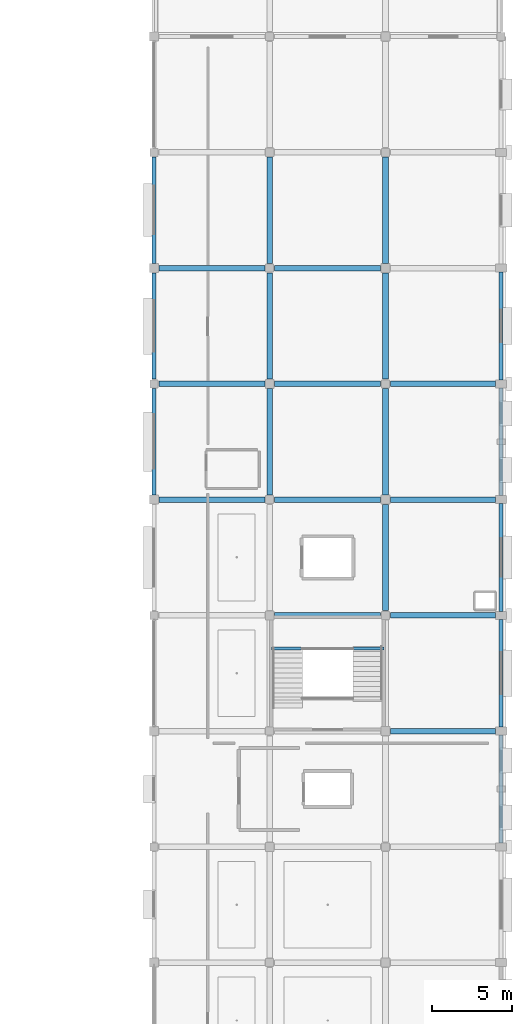
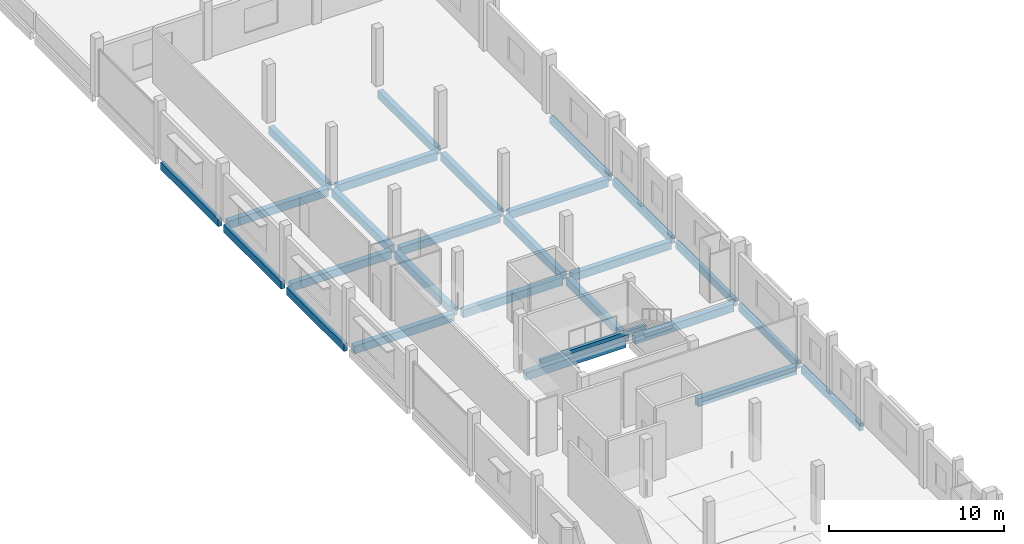
# One storey, part 9 of 26: 27 beams.
"""IFC4 building model written with IfcOpenShell, lengths in metres."""

from ifc_helpers import new_model, si_unit, direction, frame, origin, origin_2d, place, context, subcontext, project, spatial, rectangle, extrude, material, material_profile, profile_set, type_object, element, save


model = new_model("IFC4")

# Units and contexts
model_context = context("Model", 3, precision=1e-05, world=origin(), true_north=direction((0.0, 1.0)))
body_context = subcontext(model_context, "Body", "Model", "MODEL_VIEW")
ifc_project = project(units=[si_unit("LENGTHUNIT", "METRE"), si_unit("AREAUNIT", "SQUARE_METRE"), si_unit("VOLUMEUNIT", "CUBIC_METRE"), si_unit("PLANEANGLEUNIT", "RADIAN"), si_unit("MASSUNIT", "GRAM", prefix="KILO")], contexts=[model_context])

# Site, building, storey
site_placement = place(None, origin())
site = spatial("IfcSite", under=ifc_project, at=site_placement, CompositionType="ELEMENT")
building_placement = place(site_placement, origin())
building = spatial("IfcBuilding", under=site, at=building_placement, Name="Kangsadwip Square Police Headquarters", CompositionType="ELEMENT")
storey_placement = place(building_placement, frame((0.0, 0.0, 25.64990234375)))
storey = spatial("IfcBuildingStorey", under=building, at=storey_placement, Name="L06", CompositionType="ELEMENT", Elevation=25.64990234375)

# Beams
ifc_material_1 = material(Name="Concrete M35 (35 MPa)", Category="concrete")
ifc_material_profile_1 = material_profile(ifc_material_1, rectangle(XDim=0.35009765625, YDim=0.550048828125, at=origin_2d()), Name="RC BM 550X350")
ifc_profile_set_1 = profile_set([ifc_material_profile_1], Name="Concrete M35 (35 MPa)")
beam_type_1 = type_object("IfcBeamType", Name="RcBeam550x350", PredefinedType="BEAM", material=ifc_profile_set_1)
beam_1_placement = place(storey_placement, frame((158.699951171875, 57.60009765625, -0.494873046875), z_axis=(1.0, 0.0, 0.0), x_axis=(0.0, 1.0, 0.0)))
element("IfcBeam", 1, at=beam_1_placement, inside=storey, type_object=beam_type_1, Name="Beam BM-L06-X-22-08", PredefinedType="BEAM", context=body_context, shape_type="SweptSolid", body=[
    extrude(rectangle(XDim=0.35009765625, YDim=0.550048828125, at=origin_2d()), origin(), (0.0, 0.0, 1.0), 6.550048828125),
])
beam_2_placement = place(storey_placement, frame((151.5, 64.800048828125, -0.494873046875), z_axis=(1.0, 0.0, 0.0), x_axis=(0.0, 1.0, 0.0)))
element("IfcBeam", 2, at=beam_2_placement, inside=storey, type_object=beam_type_1, Name="Beam BM-L06-X-21-09", PredefinedType="BEAM", context=body_context, shape_type="SweptSolid", body=[
    extrude(rectangle(XDim=0.35009765625, YDim=0.550048828125, at=origin_2d()), origin(), (0.0, 0.0, 1.0), 6.60009765625),
])
beam_3_placement = place(storey_placement, frame((158.699951171875, 64.800048828125, -0.494873046875), z_axis=(1.0, 0.0, 0.0), x_axis=(0.0, 1.0, 0.0)))
element("IfcBeam", 3, at=beam_3_placement, inside=storey, type_object=beam_type_1, Name="Beam BM-L06-X-22-09", PredefinedType="BEAM", context=body_context, shape_type="SweptSolid", body=[
    extrude(rectangle(XDim=0.35009765625, YDim=0.550048828125, at=origin_2d()), origin(), (0.0, 0.0, 1.0), 6.550048828125),
])
beam_4_placement = place(storey_placement, frame((144.300048828125, 72.0, -0.494873046875), z_axis=(1.0, 0.0, 0.0), x_axis=(0.0, 1.0, 0.0)))
element("IfcBeam", 4, at=beam_4_placement, inside=storey, type_object=beam_type_1, Name="Beam BM-L06-X-20-10", PredefinedType="BEAM", context=body_context, shape_type="SweptSolid", body=[
    extrude(rectangle(XDim=0.35009765625, YDim=0.550048828125, at=origin_2d()), origin(), (0.0, 0.0, 1.0), 6.599853515625),
])
beam_5_placement = place(storey_placement, frame((151.5, 72.0, -0.494873046875), z_axis=(1.0, 0.0, 0.0), x_axis=(0.0, 1.0, 0.0)))
element("IfcBeam", 5, at=beam_5_placement, inside=storey, type_object=beam_type_1, Name="Beam BM-L06-X-21-10", PredefinedType="BEAM", context=body_context, shape_type="SweptSolid", body=[
    extrude(rectangle(XDim=0.35009765625, YDim=0.550048828125, at=origin_2d()), origin(), (0.0, 0.0, 1.0), 6.60009765625),
])
beam_6_placement = place(storey_placement, frame((158.699951171875, 72.0, -0.494873046875), z_axis=(1.0, 0.0, 0.0), x_axis=(0.0, 1.0, 0.0)))
element("IfcBeam", 6, at=beam_6_placement, inside=storey, type_object=beam_type_1, Name="Beam BM-L06-X-22-10", PredefinedType="BEAM", context=body_context, shape_type="SweptSolid", body=[
    extrude(rectangle(XDim=0.35009765625, YDim=0.550048828125, at=origin_2d()), origin(), (0.0, 0.0, 1.0), 6.550048828125),
])
beam_7_placement = place(storey_placement, frame((144.300048828125, 79.199951171875, -0.494873046875), z_axis=(1.0, 0.0, 0.0), x_axis=(0.0, 1.0, 0.0)))
element("IfcBeam", 7, at=beam_7_placement, inside=storey, type_object=beam_type_1, Name="Beam BM-L06-X-20-11", PredefinedType="BEAM", context=body_context, shape_type="SweptSolid", body=[
    extrude(rectangle(XDim=0.35009765625, YDim=0.550048828125, at=origin_2d()), origin(), (0.0, 0.0, 1.0), 6.599853515625),
])
beam_8_placement = place(storey_placement, frame((151.5, 79.199951171875, -0.494873046875), z_axis=(1.0, 0.0, 0.0), x_axis=(0.0, 1.0, 0.0)))
element("IfcBeam", 8, at=beam_8_placement, inside=storey, type_object=beam_type_1, Name="Beam BM-L06-X-21-11", PredefinedType="BEAM", context=body_context, shape_type="SweptSolid", body=[
    extrude(rectangle(XDim=0.35009765625, YDim=0.550048828125, at=origin_2d()), origin(), (0.0, 0.0, 1.0), 6.60009765625),
])
beam_9_placement = place(storey_placement, frame((158.699951171875, 79.199951171875, -0.494873046875), z_axis=(1.0, 0.0, 0.0), x_axis=(0.0, 1.0, 0.0)))
element("IfcBeam", 9, at=beam_9_placement, inside=storey, type_object=beam_type_1, Name="Beam BM-L06-X-22-11", PredefinedType="BEAM", context=body_context, shape_type="SweptSolid", body=[
    extrude(rectangle(XDim=0.35009765625, YDim=0.550048828125, at=origin_2d()), origin(), (0.0, 0.0, 1.0), 6.550048828125),
])
beam_10_placement = place(storey_placement, frame((144.300048828125, 86.39990234375, -0.494873046875), z_axis=(1.0, 0.0, 0.0), x_axis=(0.0, 1.0, 0.0)))
element("IfcBeam", 10, at=beam_10_placement, inside=storey, type_object=beam_type_1, Name="Beam BM-L06-X-20-12", PredefinedType="BEAM", context=body_context, shape_type="SweptSolid", body=[
    extrude(rectangle(XDim=0.35009765625, YDim=0.550048828125, at=origin_2d()), origin(), (0.0, 0.0, 1.0), 6.599853515625),
])
beam_11_placement = place(storey_placement, frame((151.5, 86.39990234375, -0.494873046875), z_axis=(1.0, 0.0, 0.0), x_axis=(0.0, 1.0, 0.0)))
element("IfcBeam", 11, at=beam_11_placement, inside=storey, type_object=beam_type_1, Name="Beam BM-L06-X-21-12", PredefinedType="BEAM", context=body_context, shape_type="SweptSolid", body=[
    extrude(rectangle(XDim=0.35009765625, YDim=0.550048828125, at=origin_2d()), origin(), (0.0, 0.0, 1.0), 6.60009765625),
])
beam_12_placement = place(storey_placement, frame((151.199951171875, 72.300048828125, -0.494873046875), z_axis=(0.0, 1.0, 0.0), x_axis=(-1.0, 0.0, 0.0)))
element("IfcBeam", 12, at=beam_12_placement, inside=storey, type_object=beam_type_1, Name="Beam BM-L06-Y-21-10", PredefinedType="BEAM", context=body_context, shape_type="SweptSolid", body=[
    extrude(rectangle(XDim=0.35009765625, YDim=0.550048828125, at=origin_2d()), origin(), (0.0, 0.0, 1.0), 6.599853515625),
])
for number, where, z_axis, x_axis, name in (
    (13, (151.199951171875, 79.5, -0.494873046875), (0.0, 1.0, 0.0), (-1.0, 0.0, 0.0), "Beam BM-L06-Y-21-11"),
    (14, (151.199951171875, 86.699951171875, -0.494873046875), (0.0, 1.0, 0.0), (-1.0, 0.0, 0.0), "Beam BM-L06-Y-21-12"),
):
    element("IfcBeam", number, at=place(storey_placement, frame(where, z_axis=z_axis, x_axis=x_axis)), inside=storey, type_object=beam_type_1, Name=name, PredefinedType="BEAM", context=body_context, shape_type="SweptSolid", body=[
        extrude(rectangle(XDim=0.35009765625, YDim=0.550048828125, at=origin_2d()), origin(), (0.0, 0.0, 1.0), 6.60009765625),
    ])
for number, where, z_axis, x_axis, name in (
    (15, (158.39990234375, 65.10009765625, -0.494873046875), (0.0, 1.0, 0.0), (-1.0, 0.0, 0.0), "Beam BM-L06-Y-22-09"),
    (16, (158.39990234375, 72.300048828125, -0.494873046875), (0.0, 1.0, 0.0), (-1.0, 0.0, 0.0), "Beam BM-L06-Y-22-10"),
):
    element("IfcBeam", number, at=place(storey_placement, frame(where, z_axis=z_axis, x_axis=x_axis)), inside=storey, type_object=beam_type_1, Name=name, PredefinedType="BEAM", context=body_context, shape_type="SweptSolid", body=[
        extrude(rectangle(XDim=0.35009765625, YDim=0.550048828125, at=origin_2d()), origin(), (0.0, 0.0, 1.0), 6.599853515625),
    ])
for number, where, z_axis, x_axis, name in (
    (17, (158.39990234375, 79.5, -0.494873046875), (0.0, 1.0, 0.0), (-1.0, 0.0, 0.0), "Beam BM-L06-Y-22-11"),
    (18, (158.39990234375, 86.699951171875, -0.494873046875), (0.0, 1.0, 0.0), (-1.0, 0.0, 0.0), "Beam BM-L06-Y-22-12"),
):
    element("IfcBeam", number, at=place(storey_placement, frame(where, z_axis=z_axis, x_axis=x_axis)), inside=storey, type_object=beam_type_1, Name=name, PredefinedType="BEAM", context=body_context, shape_type="SweptSolid", body=[
        extrude(rectangle(XDim=0.35009765625, YDim=0.550048828125, at=origin_2d()), origin(), (0.0, 0.0, 1.0), 6.60009765625),
    ])
ifc_material_2 = material(Name="Concrete M30 (30 MPa)", Category="concrete")
ifc_material_profile_2 = material_profile(ifc_material_2, rectangle(XDim=0.199951171875, YDim=0.25, at=origin_2d()), Name="RC LNT 250X200")
ifc_profile_set_2 = profile_set([ifc_material_profile_2], Name="Concrete M30 (30 MPa)")
beam_type_2 = type_object("IfcBeamType", Name="RcLintel250x200", PredefinedType="LINTEL", material=ifc_profile_set_2)
beam_13_placement = place(storey_placement, frame((151.300048828125, 62.739990234375, 1.801025390625), z_axis=(1.0, 0.0, 0.0), x_axis=(0.0, 1.0, 0.0)))
element("IfcBeam", 19, at=beam_13_placement, inside=storey, type_object=beam_type_2, Name="Stair Carriage and Landing Beam BM-ST-L06-054", PredefinedType="BEAM", context=body_context, shape_type="SweptSolid", body=[
    extrude(rectangle(XDim=0.199951171875, YDim=0.25, at=origin_2d()), origin(), (0.0, 0.0, 1.0), 7.0),
])
ifc_material_3 = material(Name="Concrete M35 (35 MPa)", Category="concrete")
ifc_material_profile_3 = material_profile(ifc_material_3, rectangle(XDim=0.25, YDim=0.52001953125, at=origin_2d()), Name="RC SPN 520X250")
ifc_profile_set_3 = profile_set([ifc_material_profile_3], Name="Concrete M35 (35 MPa)")
beam_type_3 = type_object("IfcBeamType", Name="RcSpandrel520x250", PredefinedType="SPANDREL", material=ifc_profile_set_3)
beam_14_placement = place(storey_placement, frame((144.0, 72.300048828125, -0.47998046875), z_axis=(0.0, 1.0, 0.0), x_axis=(-1.0, 0.0, 0.0)))
element("IfcBeam", 20, at=beam_14_placement, inside=storey, type_object=beam_type_3, Name="Beam BM-L06-Y-20-10", PredefinedType="SPANDREL", context=body_context, shape_type="SweptSolid", body=[
    extrude(rectangle(XDim=0.25, YDim=0.52001953125, at=origin_2d()), origin(), (0.0, 0.0, 1.0), 6.599853515625),
])
for number, where, z_axis, x_axis, name in (
    (21, (144.0, 79.5, -0.47998046875), (0.0, 1.0, 0.0), (-1.0, 0.0, 0.0), "Beam BM-L06-Y-20-11"),
    (22, (144.0, 86.699951171875, -0.47998046875), (0.0, 1.0, 0.0), (-1.0, 0.0, 0.0), "Beam BM-L06-Y-20-12"),
):
    element("IfcBeam", number, at=place(storey_placement, frame(where, z_axis=z_axis, x_axis=x_axis)), inside=storey, type_object=beam_type_3, Name=name, PredefinedType="SPANDREL", context=body_context, shape_type="SweptSolid", body=[
        extrude(rectangle(XDim=0.25, YDim=0.52001953125, at=origin_2d()), origin(), (0.0, 0.0, 1.0), 6.60009765625),
    ])
beam_15_placement = place(storey_placement, frame((165.60009765625, 50.64990234375, -0.47998046875), z_axis=(0.0, 1.0, 0.0), x_axis=(-1.0, 0.0, 0.0)))
element("IfcBeam", 23, at=beam_15_placement, inside=storey, type_object=beam_type_3, Name="Beam BM-L06-Y-23-07", PredefinedType="SPANDREL", context=body_context, shape_type="SweptSolid", body=[
    extrude(rectangle(XDim=0.25, YDim=0.52001953125, at=origin_2d()), origin(), (0.0, 0.0, 1.0), 6.7001953125),
])
for number, where, z_axis, x_axis, name in (
    (24, (165.60009765625, 57.85009765625, -0.47998046875), (0.0, 1.0, 0.0), (-1.0, 0.0, 0.0), "Beam BM-L06-Y-23-08"),
    (25, (165.60009765625, 65.050048828125, -0.47998046875), (0.0, 1.0, 0.0), (-1.0, 0.0, 0.0), "Beam BM-L06-Y-23-09"),
    (26, (165.60009765625, 72.25, -0.47998046875), (0.0, 1.0, 0.0), (-1.0, 0.0, 0.0), "Beam BM-L06-Y-23-10"),
    (27, (165.60009765625, 79.449951171875, -0.47998046875), (0.0, 1.0, 0.0), (-1.0, 0.0, 0.0), "Beam BM-L06-Y-23-11"),
):
    element("IfcBeam", number, at=place(storey_placement, frame(where, z_axis=z_axis, x_axis=x_axis)), inside=storey, type_object=beam_type_3, Name=name, PredefinedType="SPANDREL", context=body_context, shape_type="SweptSolid", body=[
        extrude(rectangle(XDim=0.25, YDim=0.52001953125, at=origin_2d()), origin(), (0.0, 0.0, 1.0), 6.699951171875),
    ])

save(model, "model.ifc")
